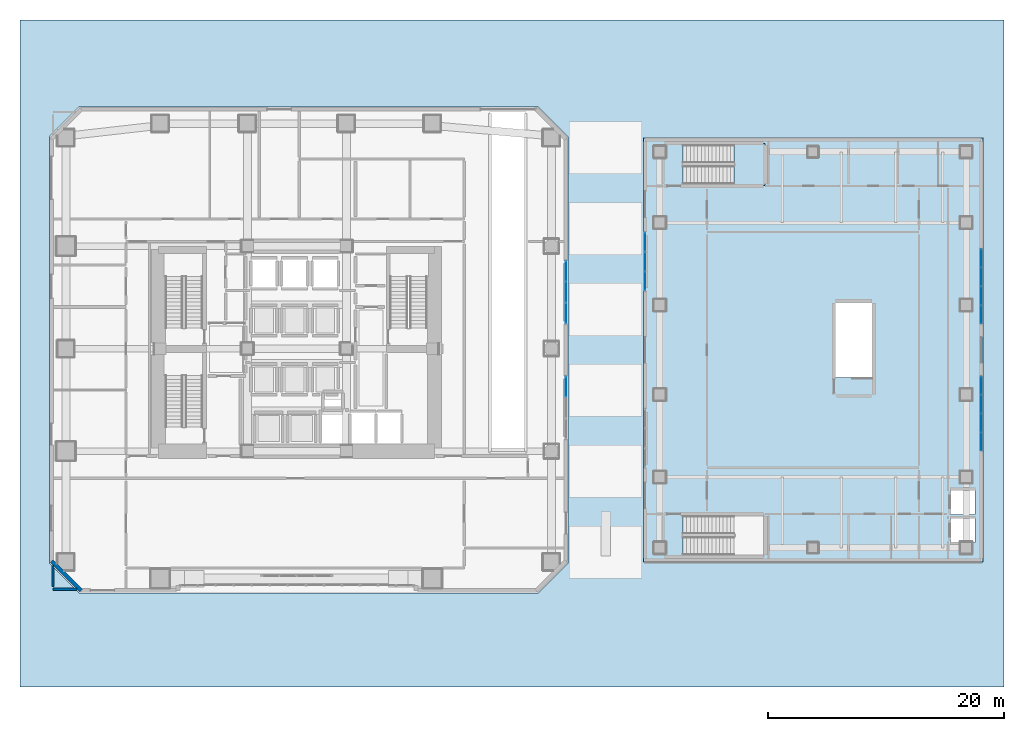
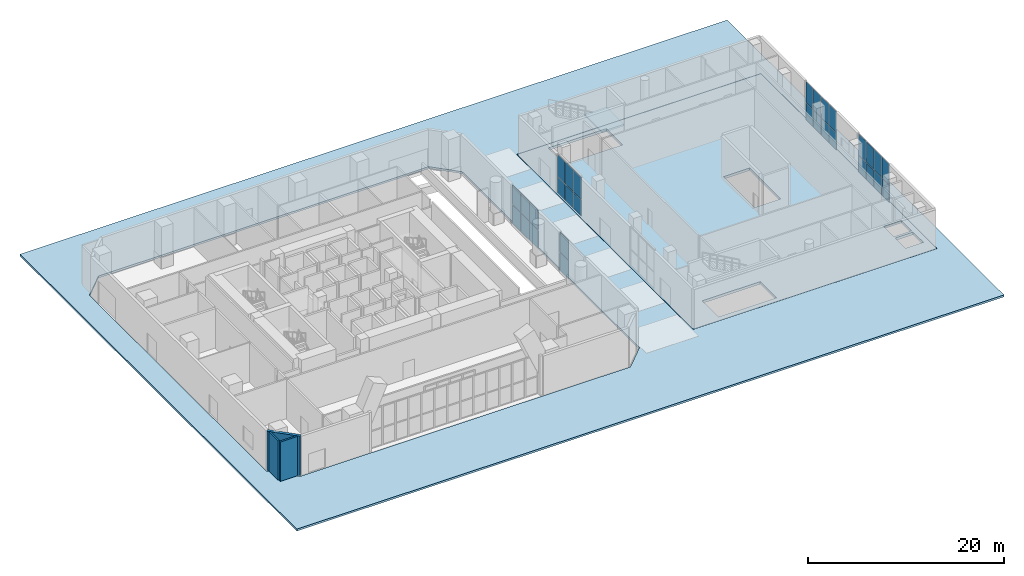
# One storey, part 18 of 30: 30 plates, 3 slabs, 3 walls, 6 elements without a shape of their own.
"""IFC4 building model written with IfcOpenShell, lengths in metres."""

from ifc_helpers import new_model, si_unit, direction, frame, frame_2d, origin, origin_2d, place, context, subcontext, project, spatial, polyline, rectangle, outline, extrude, material, layer, layer_set, type_object, element, aggregate, save


model = new_model("IFC4")

# Units and contexts
model_context = context("Model", 3, precision=1e-05, world=origin(), true_north=direction((0.0, 1.0)))
body_context = subcontext(model_context, "Body", "Model", "MODEL_VIEW")
ifc_project = project(units=[si_unit("LENGTHUNIT", "METRE"), si_unit("AREAUNIT", "SQUARE_METRE"), si_unit("VOLUMEUNIT", "CUBIC_METRE"), si_unit("PLANEANGLEUNIT", "RADIAN"), si_unit("MASSUNIT", "GRAM", prefix="KILO")], contexts=[model_context])

# Site, building, storey
site_placement = place(None, origin())
site = spatial("IfcSite", under=ifc_project, at=site_placement, CompositionType="ELEMENT")
building_placement = place(site_placement, origin())
building = spatial("IfcBuilding", under=site, at=building_placement, Name="Solanera Arch Residences", CompositionType="ELEMENT")
storey_placement = place(building_placement, origin())
storey = spatial("IfcBuildingStorey", under=building, at=storey_placement, Name="L00", CompositionType="ELEMENT", Elevation=0.0)

# Slab
ifc_material_1 = material(Name="Concrete C40/50 (f'c = 45 MPa)", Category="concrete")
ifc_layer_1 = layer(ifc_material_1, 0.239990234375)
ifc_layer_set_1 = layer_set([ifc_layer_1], Name="Concrete C40/50 (f'c = 45 MPa)")
slab_type_1 = type_object("IfcSlabType", Name="Site Plaza Paving Slab 240", PredefinedType="USERDEFINED", material=ifc_layer_set_1)
slab_1_placement = place(storey_placement, frame((0.0, 0.0, -0.239990234375)))
element("IfcSlab", 1, at=slab_1_placement, inside=storey, type_object=slab_type_1, Name="Ground Paseo and Street Perimeter Plaza Paving 1", ObjectType="PAVING", PredefinedType="USERDEFINED", context=body_context, shape_type="SweptSolid", body=[
    extrude(outline(polyline([(1.5, 2.0), (85.0, 2.0), (85.0, 58.60009765625), (1.5, 58.60009765625), (1.5, 2.0)]), holes=[polyline([(6.492919921875, 9.992919921875), (3.992919921875, 12.492919921875), (3.991943359375, 12.493896484375), (3.991943359375, 12.493896484375), (3.990966796875, 12.4951171875), (3.990966796875, 12.49609375), (3.989990234375, 12.4970703125), (3.989990234375, 12.498046875), (3.989990234375, 12.4990234375), (3.989990234375, 12.5), (3.989990234375, 48.699951171875), (3.989990234375, 48.700927734375), (3.989990234375, 48.701904296875), (3.989990234375, 48.702880859375), (3.990966796875, 48.7041015625), (3.990966796875, 48.705078125), (3.991943359375, 48.7060546875), (3.991943359375, 48.7060546875), (3.992919921875, 48.70703125), (6.492919921875, 51.20703125), (6.493896484375, 51.2080078125), (6.493896484375, 51.2080078125), (6.4951171875, 51.208984375), (6.49609375, 51.208984375), (6.4970703125, 51.2099609375), (6.498046875, 51.2099609375), (6.4990234375, 51.2099609375), (6.5, 51.2099609375), (45.5, 51.2099609375), (45.5009765625, 51.2099609375), (45.501953125, 51.2099609375), (45.5029296875, 51.2099609375), (45.50390625, 51.208984375), (45.5048828125, 51.208984375), (45.506103515625, 51.2080078125), (45.506103515625, 51.2080078125), (45.507080078125, 51.20703125), (48.007080078125, 48.70703125), (48.008056640625, 48.7060546875), (48.008056640625, 48.7060546875), (48.009033203125, 48.705078125), (48.009033203125, 48.7041015625), (48.010009765625, 48.702880859375), (48.010009765625, 48.701904296875), (48.010009765625, 48.700927734375), (48.010009765625, 48.699951171875), (48.010009765625, 12.5), (48.010009765625, 12.4990234375), (48.010009765625, 12.498046875), (48.010009765625, 12.4970703125), (48.009033203125, 12.49609375), (48.009033203125, 12.4951171875), (48.008056640625, 12.493896484375), (48.008056640625, 12.493896484375), (48.007080078125, 12.492919921875), (45.507080078125, 9.992919921875), (45.506103515625, 9.991943359375), (45.506103515625, 9.991943359375), (45.5048828125, 9.990966796875), (45.50390625, 9.990966796875), (45.5029296875, 9.989990234375), (45.501953125, 9.989990234375), (45.5009765625, 9.989990234375), (45.5, 9.989990234375), (6.5, 9.989990234375), (6.4990234375, 9.989990234375), (6.498046875, 9.989990234375), (6.4970703125, 9.989990234375), (6.49609375, 9.990966796875), (6.4951171875, 9.990966796875), (6.493896484375, 9.991943359375), (6.492919921875, 9.992919921875)]), polyline([(54.389892578125, 12.60009765625), (54.389892578125, 48.60009765625), (54.389892578125, 48.60107421875), (54.389892578125, 48.60205078125), (54.389892578125, 48.60302734375), (54.39111328125, 48.60400390625), (54.39111328125, 48.60498046875), (54.39208984375, 48.60595703125), (54.39208984375, 48.60595703125), (54.39306640625, 48.60693359375), (54.39404296875, 48.60791015625), (54.39404296875, 48.60791015625), (54.39501953125, 48.60888671875), (54.39599609375, 48.60888671875), (54.39697265625, 48.610107421875), (54.39794921875, 48.610107421875), (54.39892578125, 48.610107421875), (54.39990234375, 48.610107421875), (83.199951171875, 48.610107421875), (83.200927734375, 48.610107421875), (83.201904296875, 48.610107421875), (83.202880859375, 48.610107421875), (83.2041015625, 48.60888671875), (83.205078125, 48.60888671875), (83.2060546875, 48.60791015625), (83.2060546875, 48.60791015625), (83.20703125, 48.60693359375), (83.2080078125, 48.60595703125), (83.2080078125, 48.60595703125), (83.208984375, 48.60498046875), (83.208984375, 48.60400390625), (83.2099609375, 48.60302734375), (83.2099609375, 48.60205078125), (83.2099609375, 48.60107421875), (83.2099609375, 48.60009765625), (83.2099609375, 12.60009765625), (83.2099609375, 12.59912109375), (83.2099609375, 12.597900390625), (83.2099609375, 12.596923828125), (83.208984375, 12.595947265625), (83.208984375, 12.594970703125), (83.2080078125, 12.593994140625), (83.2080078125, 12.593994140625), (83.20703125, 12.593017578125), (83.2060546875, 12.592041015625), (83.2060546875, 12.592041015625), (83.205078125, 12.591064453125), (83.2041015625, 12.591064453125), (83.202880859375, 12.590087890625), (83.201904296875, 12.590087890625), (83.200927734375, 12.590087890625), (83.199951171875, 12.590087890625), (54.39990234375, 12.590087890625), (54.39892578125, 12.590087890625), (54.39794921875, 12.590087890625), (54.39697265625, 12.590087890625), (54.39599609375, 12.591064453125), (54.39501953125, 12.591064453125), (54.39404296875, 12.592041015625), (54.39404296875, 12.592041015625), (54.39306640625, 12.593017578125), (54.39208984375, 12.593994140625), (54.39208984375, 12.593994140625), (54.39111328125, 12.594970703125), (54.39111328125, 12.595947265625), (54.389892578125, 12.596923828125), (54.389892578125, 12.597900390625), (54.389892578125, 12.59912109375), (54.389892578125, 12.60009765625)])]), origin(), (0.0, 0.0, 1.0), 0.239990234375),
])

# Stair, slab
ifc_material_2 = material(Name="Concrete C40/50 (f'c = 45 MPa)", Category="concrete")
stair_type = type_object("IfcStairType", Name="Arena Dogleg Exit Stair 1560", PredefinedType="HALF_TURN_STAIR", material=ifc_material_2)
stair_placement = place(storey_placement, origin())
stair = element("IfcStair", 2, at=stair_placement, inside=storey, type_object=stair_type, Name="L00 Sports Hall North Exit Stair", PredefinedType="HALF_TURN_STAIR")
ifc_material_3 = material(Name="Concrete C40/50 (f'c = 45 MPa)", Category="concrete")
ifc_layer_2 = layer(ifc_material_3, 0.199951171875)
ifc_layer_set_2 = layer_set([ifc_layer_2], Name="Concrete C40/50 (f'c = 45 MPa)")
slab_type_2 = type_object("IfcSlabType", Name="Stair Half-Landing Slab 200", PredefinedType="LANDING", material=ifc_layer_set_2)
slab_2_placement = place(storey_placement, frame((0.0, 0.0, 2.39990234375)))
slab_2 = element("IfcSlab", 3, at=slab_2_placement, type_object=slab_type_2, Name="ST-H2 landing 1", PredefinedType="LANDING", context=body_context, shape_type="SweptSolid", body=[
    extrude(outline(polyline([(62.090087890625, 44.56005859375), (64.719970703125, 44.56005859375), (64.719970703125, 48.1201171875), (62.090087890625, 48.1201171875), (62.090087890625, 44.56005859375)])), origin(), (0.0, 0.0, 1.0), 0.2001953125),
])
aggregate(stair, [slab_2])

# Slab
ifc_material_4 = material(Name="Concrete C40/50 (f'c = 45 MPa)", Category="concrete")
ifc_layer_3 = layer(ifc_material_4, 0.320068359375)
ifc_layer_set_3 = layer_set([ifc_layer_3], Name="Concrete C40/50 (f'c = 45 MPa)")
slab_type_3 = type_object("IfcSlabType", Name="Suspended Floor Slab Post-Tensioned 320", PredefinedType="FLOOR", material=ifc_layer_set_3)
slab_3_placement = place(storey_placement, frame((0.0, 0.0, -0.320068359375)))
element("IfcSlab", 4, at=slab_3_placement, inside=storey, type_object=slab_type_3, Name="L00 Civic Multi-Sports Hall Tournament Court Slab", PredefinedType="FLOOR", context=body_context, shape_type="SweptSolid", body=[
    extrude(outline(polyline([(54.39990234375, 12.60009765625), (83.199951171875, 12.60009765625), (83.199951171875, 48.60009765625), (54.39990234375, 48.60009765625), (54.39990234375, 12.60009765625)]), holes=[polyline([(57.762939453125, 16.52001953125), (64.60009765625, 16.52001953125), (64.60009765625, 13.199951171875), (57.762939453125, 13.199951171875), (57.762939453125, 16.52001953125)]), polyline([(57.762939453125, 48.0), (64.60009765625, 48.0), (64.60009765625, 44.679931640625), (57.762939453125, 44.679931640625), (57.762939453125, 48.0)]), polyline([(70.719970703125, 28.242919921875), (70.719970703125, 34.60009765625), (73.800048828125, 34.60009765625), (73.800048828125, 28.242919921875), (70.719970703125, 28.242919921875)]), polyline([(80.449951171875, 16.35009765625), (82.550048828125, 16.35009765625), (82.550048828125, 14.25), (80.449951171875, 14.25), (80.449951171875, 16.35009765625)]), polyline([(80.449951171875, 18.75), (82.550048828125, 18.75), (82.550048828125, 16.64990234375), (80.449951171875, 16.64990234375), (80.449951171875, 18.75)])]), origin(), (0.0, 0.0, 1.0), 0.320068359375),
])

# Curtain wall, plates
ifc_material_5 = material(Name="Anodised Aluminium Alloy 6063-T6", Category="aluminium")
ifc_layer_4 = layer(ifc_material_5, 0.14990234375)
ifc_layer_set_4 = layer_set([ifc_layer_4], Name="Anodised Aluminium Alloy 6063-T6")
curtain_wall_type_1 = type_object("IfcCurtainWallType", Name="CW-2 Paseo Shopfront Glazing", PredefinedType="USERDEFINED", material=ifc_layer_set_4)
curtain_wall_1_placement = place(storey_placement, origin())
curtain_wall_1 = element("IfcCurtainWall", 5, at=curtain_wall_1_placement, inside=storey, type_object=curtain_wall_type_1, Name="L00 Paseo Shopfront Curtain Wall 1", ObjectType="CURTAIN_WALL", PredefinedType="USERDEFINED")
ifc_material_6 = material(Name="Double Glazed Low-E Laminated Glass", Category="glass")
ifc_layer_5 = layer(ifc_material_6, 0.028076171875)
ifc_layer_set_5 = layer_set([ifc_layer_5], Name="Double Glazed Low-E Laminated Glass")
plate_type = type_object("IfcPlateType", Name="Vision Glazing Panel GL-28", PredefinedType="CURTAIN_PANEL", material=ifc_layer_set_5)
plate_1_placement = place(storey_placement, frame((47.820068359375, 37.282470703125, 0.070068359375), z_axis=(0.0, 0.0, 1.0), x_axis=(0.0, -1.0, 0.0)))
plate_1 = element("IfcPlate", 6, at=plate_1_placement, type_object=plate_type, Name="CW-2 panel 1.1", PredefinedType="CURTAIN_PANEL", context=body_context, shape_type="SweptSolid", body=[
    extrude(rectangle(XDim=1.695068359375, YDim=0.028076171875, at=origin_2d()), origin(), (0.0, 0.0, 1.0), 2.294921875),
])
plate_2_placement = place(storey_placement, frame((47.820068359375, 37.282470703125, 2.43505859375), z_axis=(0.0, 0.0, 1.0), x_axis=(0.0, -1.0, 0.0)))
plate_2 = element("IfcPlate", 7, at=plate_2_placement, type_object=plate_type, Name="CW-2 panel 1.2", PredefinedType="CURTAIN_PANEL", context=body_context, shape_type="SweptSolid", body=[
    extrude(rectangle(XDim=1.695068359375, YDim=0.028076171875, at=origin_2d()), origin(), (0.0, 0.0, 1.0), 2.4150390625),
])
plate_3_placement = place(storey_placement, frame((47.820068359375, 35.5, 0.070068359375), z_axis=(0.0, 0.0, 1.0), x_axis=(0.0, -1.0, 0.0)))
plate_3 = element("IfcPlate", 8, at=plate_3_placement, type_object=plate_type, Name="CW-2 panel 2.1", PredefinedType="CURTAIN_PANEL", context=body_context, shape_type="SweptSolid", body=[
    extrude(rectangle(XDim=1.72998046875, YDim=0.028076171875, at=origin_2d()), origin(), (0.0, 0.0, 1.0), 2.294921875),
])
plate_4_placement = place(storey_placement, frame((47.820068359375, 35.5, 2.43505859375), z_axis=(0.0, 0.0, 1.0), x_axis=(0.0, -1.0, 0.0)))
plate_4 = element("IfcPlate", 9, at=plate_4_placement, type_object=plate_type, Name="CW-2 panel 2.2", PredefinedType="CURTAIN_PANEL", context=body_context, shape_type="SweptSolid", body=[
    extrude(rectangle(XDim=1.72998046875, YDim=0.028076171875, at=origin_2d()), origin(), (0.0, 0.0, 1.0), 2.4150390625),
])
plate_5_placement = place(storey_placement, frame((47.820068359375, 33.717529296875, 0.070068359375), z_axis=(0.0, 0.0, 1.0), x_axis=(0.0, -1.0, 0.0)))
plate_5 = element("IfcPlate", 10, at=plate_5_placement, type_object=plate_type, Name="CW-2 panel 3.1", PredefinedType="CURTAIN_PANEL", context=body_context, shape_type="SweptSolid", body=[
    extrude(rectangle(XDim=1.695068359375, YDim=0.028076171875, at=origin_2d()), origin(), (0.0, 0.0, 1.0), 2.294921875),
])
plate_6_placement = place(storey_placement, frame((47.820068359375, 33.717529296875, 2.43505859375), z_axis=(0.0, 0.0, 1.0), x_axis=(0.0, -1.0, 0.0)))
plate_6 = element("IfcPlate", 11, at=plate_6_placement, type_object=plate_type, Name="CW-2 panel 3.2", PredefinedType="CURTAIN_PANEL", context=body_context, shape_type="SweptSolid", body=[
    extrude(rectangle(XDim=1.695068359375, YDim=0.028076171875, at=origin_2d()), origin(), (0.0, 0.0, 1.0), 2.4150390625),
])
aggregate(curtain_wall_1, [plate_1, plate_2, plate_3, plate_4, plate_5, plate_6])

curtain_wall_2_placement = place(storey_placement, origin())
curtain_wall_2 = element("IfcCurtainWall", 12, at=curtain_wall_2_placement, inside=storey, type_object=curtain_wall_type_1, Name="L00 Paseo Shopfront Curtain Wall 2", ObjectType="CURTAIN_WALL", PredefinedType="USERDEFINED")
plate_7_placement = place(storey_placement, frame((47.820068359375, 27.482421875, 0.070068359375), z_axis=(0.0, 0.0, 1.0), x_axis=(0.0, -1.0, 0.0)))
plate_7 = element("IfcPlate", 13, at=plate_7_placement, type_object=plate_type, Name="CW-2 panel 1.1", PredefinedType="CURTAIN_PANEL", context=body_context, shape_type="SweptSolid", body=[
    extrude(rectangle(XDim=1.695068359375, YDim=0.028076171875, at=origin_2d()), origin(), (0.0, 0.0, 1.0), 2.294921875),
])
plate_8_placement = place(storey_placement, frame((47.820068359375, 27.482421875, 2.43505859375), z_axis=(0.0, 0.0, 1.0), x_axis=(0.0, -1.0, 0.0)))
plate_8 = element("IfcPlate", 14, at=plate_8_placement, type_object=plate_type, Name="CW-2 panel 1.2", PredefinedType="CURTAIN_PANEL", context=body_context, shape_type="SweptSolid", body=[
    extrude(rectangle(XDim=1.695068359375, YDim=0.028076171875, at=origin_2d()), origin(), (0.0, 0.0, 1.0), 2.4150390625),
])
aggregate(curtain_wall_2, [plate_7, plate_8])

ifc_material_7 = material(Name="Anodised Aluminium Alloy 6063-T6", Category="aluminium")
ifc_layer_6 = layer(ifc_material_7, 0.159912109375)
ifc_layer_set_6 = layer_set([ifc_layer_6], Name="Anodised Aluminium Alloy 6063-T6")
curtain_wall_type_2 = type_object("IfcCurtainWallType", Name="CW-3 Sports Hall Foyer Curtain Wall", PredefinedType="USERDEFINED", material=ifc_layer_set_6)
curtain_wall_3_placement = place(storey_placement, origin())
curtain_wall_3 = element("IfcCurtainWall", 15, at=curtain_wall_3_placement, inside=storey, type_object=curtain_wall_type_2, Name="L00 Sports Hall Foyer Curtain Wall 2", ObjectType="CURTAIN_WALL", PredefinedType="USERDEFINED")
plate_9_placement = place(storey_placement, frame((54.550048828125, 36.450927734375, 0.06982421875), z_axis=(0.0, 0.0, 1.0), x_axis=(0.0, 1.0, 0.0)))
plate_9 = element("IfcPlate", 16, at=plate_9_placement, type_object=plate_type, Name="CW-3 panel 1.1", PredefinedType="CURTAIN_PANEL", context=body_context, shape_type="SweptSolid", body=[
    extrude(rectangle(XDim=1.561767578125, YDim=0.028076171875, at=origin_2d()), origin(), (0.0, 0.0, 1.0), 1.9951171875),
])
plate_10_placement = place(storey_placement, frame((54.550048828125, 36.450927734375, 2.134765625), z_axis=(0.0, 0.0, 1.0), x_axis=(0.0, 1.0, 0.0)))
plate_10 = element("IfcPlate", 17, at=plate_10_placement, type_object=plate_type, Name="CW-3 panel 1.2", PredefinedType="CURTAIN_PANEL", context=body_context, shape_type="SweptSolid", body=[
    extrude(rectangle(XDim=1.561767578125, YDim=0.028076171875, at=origin_2d()), origin(), (0.0, 0.0, 1.0), 2.715087890625),
])
plate_11_placement = place(storey_placement, frame((54.550048828125, 38.10009765625, 0.06982421875), z_axis=(0.0, 0.0, 1.0), x_axis=(0.0, 1.0, 0.0)))
plate_11 = element("IfcPlate", 18, at=plate_11_placement, type_object=plate_type, Name="CW-3 panel 2.1", PredefinedType="CURTAIN_PANEL", context=body_context, shape_type="SweptSolid", body=[
    extrude(rectangle(XDim=1.5966796875, YDim=0.028076171875, at=origin_2d()), origin(), (0.0, 0.0, 1.0), 1.9951171875),
])
plate_12_placement = place(storey_placement, frame((54.550048828125, 38.10009765625, 2.134765625), z_axis=(0.0, 0.0, 1.0), x_axis=(0.0, 1.0, 0.0)))
plate_12 = element("IfcPlate", 19, at=plate_12_placement, type_object=plate_type, Name="CW-3 panel 2.2", PredefinedType="CURTAIN_PANEL", context=body_context, shape_type="SweptSolid", body=[
    extrude(rectangle(XDim=1.5966796875, YDim=0.028076171875, at=origin_2d()), origin(), (0.0, 0.0, 1.0), 2.715087890625),
])
plate_13_placement = place(storey_placement, frame((54.550048828125, 39.749267578125, 0.06982421875), z_axis=(0.0, 0.0, 1.0), x_axis=(0.0, 1.0, 0.0)))
plate_13 = element("IfcPlate", 20, at=plate_13_placement, type_object=plate_type, Name="CW-3 panel 3.1", PredefinedType="CURTAIN_PANEL", context=body_context, shape_type="SweptSolid", body=[
    extrude(rectangle(XDim=1.561767578125, YDim=0.028076171875, at=origin_2d()), origin(), (0.0, 0.0, 1.0), 1.9951171875),
])
plate_14_placement = place(storey_placement, frame((54.550048828125, 39.749267578125, 2.134765625), z_axis=(0.0, 0.0, 1.0), x_axis=(0.0, 1.0, 0.0)))
plate_14 = element("IfcPlate", 21, at=plate_14_placement, type_object=plate_type, Name="CW-3 panel 3.2", PredefinedType="CURTAIN_PANEL", context=body_context, shape_type="SweptSolid", body=[
    extrude(rectangle(XDim=1.561767578125, YDim=0.028076171875, at=origin_2d()), origin(), (0.0, 0.0, 1.0), 2.715087890625),
])
aggregate(curtain_wall_3, [plate_9, plate_10, plate_11, plate_12, plate_13, plate_14])

curtain_wall_4_placement = place(storey_placement, origin())
curtain_wall_4 = element("IfcCurtainWall", 22, at=curtain_wall_4_placement, inside=storey, type_object=curtain_wall_type_1, Name="L00 Sports Hall East Promenade Glazing 1", ObjectType="CURTAIN_WALL", PredefinedType="USERDEFINED")
plate_15_placement = place(storey_placement, frame((83.050048828125, 38.382568359375, 0.06982421875), z_axis=(0.0, 0.0, 1.0), x_axis=(0.0, -1.0, 0.0)))
plate_15 = element("IfcPlate", 23, at=plate_15_placement, type_object=plate_type, Name="CW-2 panel 1.1", PredefinedType="CURTAIN_PANEL", context=body_context, shape_type="SweptSolid", body=[
    extrude(rectangle(XDim=1.4951171875, YDim=0.028076171875, at=origin_2d()), origin(), (0.0, 0.0, 1.0), 2.094970703125),
])
plate_16_placement = place(storey_placement, frame((83.050048828125, 38.382568359375, 2.23486328125), z_axis=(0.0, 0.0, 1.0), x_axis=(0.0, -1.0, 0.0)))
plate_16 = element("IfcPlate", 24, at=plate_16_placement, type_object=plate_type, Name="CW-2 panel 1.2", PredefinedType="CURTAIN_PANEL", context=body_context, shape_type="SweptSolid", body=[
    extrude(rectangle(XDim=1.4951171875, YDim=0.028076171875, at=origin_2d()), origin(), (0.0, 0.0, 1.0), 2.614990234375),
])
plate_17_placement = place(storey_placement, frame((83.050048828125, 36.800048828125, 0.06982421875), z_axis=(0.0, 0.0, 1.0), x_axis=(0.0, -1.0, 0.0)))
plate_17 = element("IfcPlate", 25, at=plate_17_placement, type_object=plate_type, Name="CW-2 panel 2.1", PredefinedType="CURTAIN_PANEL", context=body_context, shape_type="SweptSolid", body=[
    extrude(rectangle(XDim=1.530029296875, YDim=0.028076171875, at=origin_2d()), origin(), (0.0, 0.0, 1.0), 2.094970703125),
])
plate_18_placement = place(storey_placement, frame((83.050048828125, 36.800048828125, 2.23486328125), z_axis=(0.0, 0.0, 1.0), x_axis=(0.0, -1.0, 0.0)))
plate_18 = element("IfcPlate", 26, at=plate_18_placement, type_object=plate_type, Name="CW-2 panel 2.2", PredefinedType="CURTAIN_PANEL", context=body_context, shape_type="SweptSolid", body=[
    extrude(rectangle(XDim=1.530029296875, YDim=0.028076171875, at=origin_2d()), origin(), (0.0, 0.0, 1.0), 2.614990234375),
])
plate_19_placement = place(storey_placement, frame((83.050048828125, 35.199951171875, 0.06982421875), z_axis=(0.0, 0.0, 1.0), x_axis=(0.0, -1.0, 0.0)))
plate_19 = element("IfcPlate", 27, at=plate_19_placement, type_object=plate_type, Name="CW-2 panel 3.1", PredefinedType="CURTAIN_PANEL", context=body_context, shape_type="SweptSolid", body=[
    extrude(rectangle(XDim=1.530029296875, YDim=0.028076171875, at=origin_2d()), origin(), (0.0, 0.0, 1.0), 2.094970703125),
])
plate_20_placement = place(storey_placement, frame((83.050048828125, 35.199951171875, 2.23486328125), z_axis=(0.0, 0.0, 1.0), x_axis=(0.0, -1.0, 0.0)))
plate_20 = element("IfcPlate", 28, at=plate_20_placement, type_object=plate_type, Name="CW-2 panel 3.2", PredefinedType="CURTAIN_PANEL", context=body_context, shape_type="SweptSolid", body=[
    extrude(rectangle(XDim=1.530029296875, YDim=0.028076171875, at=origin_2d()), origin(), (0.0, 0.0, 1.0), 2.614990234375),
])
plate_21_placement = place(storey_placement, frame((83.050048828125, 33.617431640625, 0.06982421875), z_axis=(0.0, 0.0, 1.0), x_axis=(0.0, -1.0, 0.0)))
plate_21 = element("IfcPlate", 29, at=plate_21_placement, type_object=plate_type, Name="CW-2 panel 4.1", PredefinedType="CURTAIN_PANEL", context=body_context, shape_type="SweptSolid", body=[
    extrude(rectangle(XDim=1.4951171875, YDim=0.028076171875, at=origin_2d()), origin(), (0.0, 0.0, 1.0), 2.094970703125),
])
plate_22_placement = place(storey_placement, frame((83.050048828125, 33.617431640625, 2.23486328125), z_axis=(0.0, 0.0, 1.0), x_axis=(0.0, -1.0, 0.0)))
plate_22 = element("IfcPlate", 30, at=plate_22_placement, type_object=plate_type, Name="CW-2 panel 4.2", PredefinedType="CURTAIN_PANEL", context=body_context, shape_type="SweptSolid", body=[
    extrude(rectangle(XDim=1.4951171875, YDim=0.028076171875, at=origin_2d()), origin(), (0.0, 0.0, 1.0), 2.614990234375),
])
aggregate(curtain_wall_4, [plate_15, plate_16, plate_17, plate_18, plate_19, plate_20, plate_21, plate_22])

curtain_wall_5_placement = place(storey_placement, origin())
curtain_wall_5 = element("IfcCurtainWall", 31, at=curtain_wall_5_placement, inside=storey, type_object=curtain_wall_type_1, Name="L00 Sports Hall East Promenade Glazing 2", ObjectType="CURTAIN_WALL", PredefinedType="USERDEFINED")
plate_23_placement = place(storey_placement, frame((83.050048828125, 27.58251953125, 0.06982421875), z_axis=(0.0, 0.0, 1.0), x_axis=(0.0, -1.0, 0.0)))
plate_23 = element("IfcPlate", 32, at=plate_23_placement, type_object=plate_type, Name="CW-2 panel 1.1", PredefinedType="CURTAIN_PANEL", context=body_context, shape_type="SweptSolid", body=[
    extrude(rectangle(XDim=1.4951171875, YDim=0.028076171875, at=origin_2d()), origin(), (0.0, 0.0, 1.0), 2.094970703125),
])
plate_24_placement = place(storey_placement, frame((83.050048828125, 27.58251953125, 2.23486328125), z_axis=(0.0, 0.0, 1.0), x_axis=(0.0, -1.0, 0.0)))
plate_24 = element("IfcPlate", 33, at=plate_24_placement, type_object=plate_type, Name="CW-2 panel 1.2", PredefinedType="CURTAIN_PANEL", context=body_context, shape_type="SweptSolid", body=[
    extrude(rectangle(XDim=1.4951171875, YDim=0.028076171875, at=origin_2d()), origin(), (0.0, 0.0, 1.0), 2.614990234375),
])
plate_25_placement = place(storey_placement, frame((83.050048828125, 26.0, 0.06982421875), z_axis=(0.0, 0.0, 1.0), x_axis=(0.0, -1.0, 0.0)))
plate_25 = element("IfcPlate", 34, at=plate_25_placement, type_object=plate_type, Name="CW-2 panel 2.1", PredefinedType="CURTAIN_PANEL", context=body_context, shape_type="SweptSolid", body=[
    extrude(rectangle(XDim=1.530029296875, YDim=0.028076171875, at=origin_2d()), origin(), (0.0, 0.0, 1.0), 2.094970703125),
])
plate_26_placement = place(storey_placement, frame((83.050048828125, 26.0, 2.23486328125), z_axis=(0.0, 0.0, 1.0), x_axis=(0.0, -1.0, 0.0)))
plate_26 = element("IfcPlate", 35, at=plate_26_placement, type_object=plate_type, Name="CW-2 panel 2.2", PredefinedType="CURTAIN_PANEL", context=body_context, shape_type="SweptSolid", body=[
    extrude(rectangle(XDim=1.530029296875, YDim=0.028076171875, at=origin_2d()), origin(), (0.0, 0.0, 1.0), 2.614990234375),
])
plate_27_placement = place(storey_placement, frame((83.050048828125, 24.39990234375, 0.06982421875), z_axis=(0.0, 0.0, 1.0), x_axis=(0.0, -1.0, 0.0)))
plate_27 = element("IfcPlate", 36, at=plate_27_placement, type_object=plate_type, Name="CW-2 panel 3.1", PredefinedType="CURTAIN_PANEL", context=body_context, shape_type="SweptSolid", body=[
    extrude(rectangle(XDim=1.530029296875, YDim=0.028076171875, at=origin_2d()), origin(), (0.0, 0.0, 1.0), 2.094970703125),
])
plate_28_placement = place(storey_placement, frame((83.050048828125, 24.39990234375, 2.23486328125), z_axis=(0.0, 0.0, 1.0), x_axis=(0.0, -1.0, 0.0)))
plate_28 = element("IfcPlate", 37, at=plate_28_placement, type_object=plate_type, Name="CW-2 panel 3.2", PredefinedType="CURTAIN_PANEL", context=body_context, shape_type="SweptSolid", body=[
    extrude(rectangle(XDim=1.530029296875, YDim=0.028076171875, at=origin_2d()), origin(), (0.0, 0.0, 1.0), 2.614990234375),
])
plate_29_placement = place(storey_placement, frame((83.050048828125, 22.8173828125, 0.06982421875), z_axis=(0.0, 0.0, 1.0), x_axis=(0.0, -1.0, 0.0)))
plate_29 = element("IfcPlate", 38, at=plate_29_placement, type_object=plate_type, Name="CW-2 panel 4.1", PredefinedType="CURTAIN_PANEL", context=body_context, shape_type="SweptSolid", body=[
    extrude(rectangle(XDim=1.4951171875, YDim=0.028076171875, at=origin_2d()), origin(), (0.0, 0.0, 1.0), 2.094970703125),
])
plate_30_placement = place(storey_placement, frame((83.050048828125, 22.8173828125, 2.23486328125), z_axis=(0.0, 0.0, 1.0), x_axis=(0.0, -1.0, 0.0)))
plate_30 = element("IfcPlate", 39, at=plate_30_placement, type_object=plate_type, Name="CW-2 panel 4.2", PredefinedType="CURTAIN_PANEL", context=body_context, shape_type="SweptSolid", body=[
    extrude(rectangle(XDim=1.4951171875, YDim=0.028076171875, at=origin_2d()), origin(), (0.0, 0.0, 1.0), 2.614990234375),
])
aggregate(curtain_wall_5, [plate_23, plate_24, plate_25, plate_26, plate_27, plate_28, plate_29, plate_30])

# Walls
ifc_material_8 = material(Name="Precast Concrete C35/45", Category="concrete")
ifc_layer_7 = layer(ifc_material_8, 0.320068359375)
ifc_layer_set_7 = layer_set([ifc_layer_7], Name="Precast Concrete C35/45")
wall_type_1 = type_object("IfcWallType", Name="Exterior Wall Precast Masonry-Frame 320", PredefinedType="STANDARD", material=ifc_layer_set_7)
wall_1_placement = place(storey_placement, frame((6.679931640625, 10.179931640625, 0.0), z_axis=(0.0, 0.0, 1.0), x_axis=(-0.707106781187, 0.707106781187, 0.0)))
element("IfcWall", 40, at=wall_1_placement, inside=storey, type_object=wall_type_1, Name="L00 Podium Precast Masonry-Frame Wall 8", PredefinedType="STANDARD", context=body_context, shape_type="SweptSolid", body=[
    extrude(rectangle(XDim=3.53564453125, YDim=0.320068359375, at=frame_2d((1.767822265625, 0.0))), origin(), (0.0, 0.0, 1.0), 4.919921875),
])
ifc_material_9 = material(Name="Autoclaved Aerated Concrete Blockwork", Category="masonry")
ifc_layer_8 = layer(ifc_material_9, 0.199951171875)
ifc_layer_set_8 = layer_set([ifc_layer_8], Name="Autoclaved Aerated Concrete Blockwork")
wall_type_2 = type_object("IfcWallType", Name="Party Wall Acoustic 200", PredefinedType="PARTITIONING", material=ifc_layer_set_8)
wall_2_placement = place(storey_placement, frame((4.300048828125, 10.300048828125, 0.0), z_axis=(0.0, 0.0, 1.0), x_axis=(1.0, 0.0, 0.0)))
element("IfcWall", 41, at=wall_2_placement, inside=storey, type_object=wall_type_2, Name="L00 Interior Partition H7", PredefinedType="PARTITIONING", context=body_context, shape_type="SweptSolid", body=[
    extrude(rectangle(XDim=2.016845703125, YDim=0.199951171875, at=frame_2d((1.00830078125, 0.0))), origin(), (0.0, 0.0, 1.0), 4.919921875),
])
wall_3_placement = place(storey_placement, frame((4.300048828125, 10.508056640625, 0.0), z_axis=(0.0, 0.0, 1.0), x_axis=(0.0, 1.0, 0.0)))
element("IfcWall", 42, at=wall_3_placement, inside=storey, type_object=wall_type_2, Name="L00 Interior Partition V7 1", PredefinedType="PARTITIONING", context=body_context, shape_type="SweptSolid", body=[
    extrude(rectangle(XDim=1.808837890625, YDim=0.199951171875, at=frame_2d((0.904296875, 0.0))), origin(), (0.0, 0.0, 1.0), 4.919921875),
])

save(model, "model.ifc")
